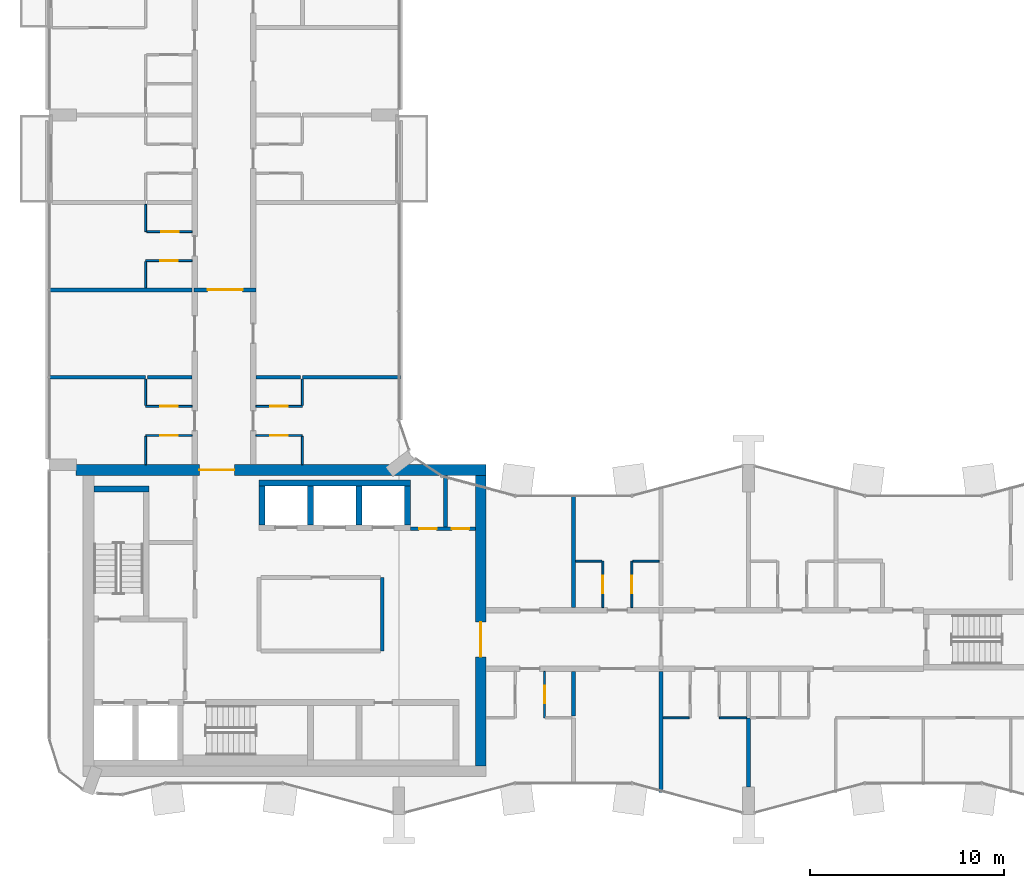
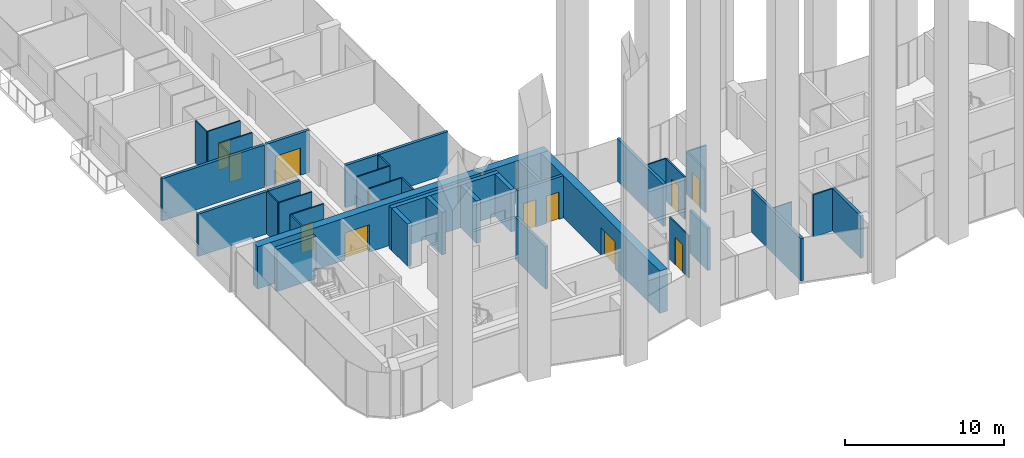
# One storey, part 10 of 17: 40 walls, 14 doors, 14 openings.
"""IFC4 building model written with IfcOpenShell, lengths in metres."""

import ifcopenshell
import ifcopenshell.guid

model = None  # the IFC model being written
_history = None  # IfcOwnerHistory: only IFC2X3 demands one
_inside = {}  # id of a spatial element -> (the spatial element, [elements in it])
_under = {}  # id of a project, library or spatial element -> (it, [spatial elements below it])
_declared = {}  # id of a project -> (the project, [libraries it declares])
_typed = {}  # id of a type object -> (the type object, [elements of that type])
_made_of = {}  # id of a material, layer set ... -> (it, [elements and type objects made of it])


def new_model(schema):
    """Start an empty IFC model of exactly this schema.

    Asked for "IFC4X3", IfcOpenShell would pick the latest addendum, in which some entities
    have other attributes; the version numbers below select the first issue.
    IFC2X3 requires an IfcOwnerHistory on every rooted entity: one is made here for all.
    """
    global model, _history
    if schema == "IFC4X3":
        model = ifcopenshell.file(schema_version=(4, 3, 0, 0))
    else:
        model = ifcopenshell.file(schema=schema)
    _inside.clear()
    _under.clear()
    _declared.clear()
    _typed.clear()
    _made_of.clear()
    _history = None
    if model.schema == "IFC2X3":
        org = make("IfcOrganization", Name="unknown")
        user = make(
            "IfcPersonAndOrganization",
            ThePerson=make("IfcPerson", FamilyName="unknown"),
            TheOrganization=org,
        )
        app = make(
            "IfcApplication",
            ApplicationDeveloper=org,
            Version="unknown",
            ApplicationFullName="unknown",
            ApplicationIdentifier="unknown",
        )
        _history = make(
            "IfcOwnerHistory",
            OwningUser=user,
            OwningApplication=app,
            ChangeAction="ADDED",
            CreationDate=0,
        )
    return model


def make(cls, **values):
    """One entity of the class cls with the attributes given. An attribute that is None is left unset."""
    return model.create_entity(
        cls, **{name: value for name, value in values.items() if value is not None}
    )


def rooted(cls, **values):
    """An entity with a GlobalId (a new one), such as an element, a storey or a relation."""
    return make(cls, GlobalId=ifcopenshell.guid.new(), OwnerHistory=_history, **values)


def si_unit(unit_type, name, prefix=None):
    """IfcSIUnit, for example si_unit("LENGTHUNIT", "METRE", prefix="MILLI")."""
    return make("IfcSIUnit", UnitType=unit_type, Prefix=prefix, Name=name)


def assignment(units):
    """IfcUnitAssignment: the units of a project."""
    return None if units is None else make("IfcUnitAssignment", Units=units)


def point(xyz):
    """IfcCartesianPoint."""
    return None if xyz is None else make("IfcCartesianPoint", Coordinates=xyz)


def direction(xyz):
    """IfcDirection."""
    return None if xyz is None else make("IfcDirection", DirectionRatios=xyz)


def frame(location, z_axis=None, x_axis=None):
    """IfcAxis2Placement3D, a coordinate frame: its origin and axes. An axis left out is left unset."""
    return make(
        "IfcAxis2Placement3D",
        Location=point(location),
        Axis=direction(z_axis),
        RefDirection=direction(x_axis),
    )


def frame_2d(location, x_axis=None):
    """IfcAxis2Placement2D, a coordinate frame in the plane: its origin and x axis."""
    return make(
        "IfcAxis2Placement2D", Location=point(location), RefDirection=direction(x_axis)
    )


def origin():
    """The frame at (0, 0, 0) with its axes left unset."""
    return frame((0.0, 0.0, 0.0))


def place(relative_to, where):
    """IfcLocalPlacement: puts the frame where relative to a parent placement (None: the world)."""
    return make(
        "IfcLocalPlacement", PlacementRelTo=relative_to, RelativePlacement=where
    )


def context(
    kind, dimensions, precision=None, world=None, true_north=None, identifier=None
):
    """IfcGeometricRepresentationContext, for example the 3D "Model" context."""
    return make(
        "IfcGeometricRepresentationContext",
        ContextIdentifier=identifier,
        ContextType=kind,
        CoordinateSpaceDimension=dimensions,
        Precision=precision,
        WorldCoordinateSystem=world,
        TrueNorth=true_north,
    )


def subcontext(parent, identifier, kind, view, scale=None):
    """IfcGeometricRepresentationSubContext, for example "Body" below "Model"."""
    return make(
        "IfcGeometricRepresentationSubContext",
        ContextIdentifier=identifier,
        ContextType=kind,
        ParentContext=parent,
        TargetScale=scale,
        TargetView=view,
    )


def project(units=None, contexts=None):
    """IfcProject with its units and contexts."""
    return rooted(
        "IfcProject",
        Name="project",
        RepresentationContexts=contexts,
        UnitsInContext=assignment(units),
    )


def spatial(cls, under=None, at=None, **own):
    """A site, building, storey or space (cls), placed at a placement, below another one or the project."""
    s = rooted(cls, ObjectPlacement=at, **own)
    if under is not None:
        _under.setdefault(under.id(), (under, []))[1].append(s)
    return s


def profile(cls, at=None, kind="AREA", **sizes):
    """A parametric profile (cls). Its sizes go by their IFC names, for example OverallWidth=200.0."""
    return make(cls, ProfileType=kind, Position=at, **sizes)


def rectangle(**sizes):
    """IfcRectangleProfileDef."""
    return profile("IfcRectangleProfileDef", **sizes)


def extrude(swept, where, along, depth):
    """IfcExtrudedAreaSolid: the profile swept, set in the frame where, extruded along a direction by depth."""
    return make(
        "IfcExtrudedAreaSolid",
        SweptArea=swept,
        Position=where,
        ExtrudedDirection=direction(along),
        Depth=depth,
    )


def shape(context_of_items, identifier, shape_type, items):
    """IfcShapeRepresentation: the items that make up one representation, for example the "Body"."""
    return make(
        "IfcShapeRepresentation",
        ContextOfItems=context_of_items,
        RepresentationIdentifier=identifier,
        RepresentationType=shape_type,
        Items=items,
    )


def material(Name=None, Category=None):
    """IfcMaterial."""
    return make("IfcMaterial", Name=Name, Category=Category)


def layer(
    of_material, thickness, ventilated=None, Name=None, Category=None, Priority=None
):
    """IfcMaterialLayer: one layer of a wall or slab, of a material (None: an air gap)."""
    return make(
        "IfcMaterialLayer",
        Material=of_material,
        LayerThickness=thickness,
        IsVentilated=ventilated,
        Name=Name,
        Category=Category,
        Priority=Priority,
    )


def layer_set(layers, Name=None):
    """IfcMaterialLayerSet."""
    return make("IfcMaterialLayerSet", MaterialLayers=layers, LayerSetName=Name)


def made_of(thing, what):
    """Note that an element or type object is made of a material, layer set ...; save() writes the relation."""
    if what is not None:
        _made_of.setdefault(what.id(), (what, []))[1].append(thing)
    return thing


def type_object(cls, material=None, **own):
    """A type object (cls), such as IfcWallType, which elements share."""
    return made_of(rooted(cls, **own), material)


def element(
    cls,
    number,
    at=None,
    inside=None,
    cuts=None,
    type_object=None,
    material=None,
    context=None,
    identifier="Body",
    shape_type=None,
    held_by="IfcProductDefinitionShape",
    body=None,
    shapes=None,
    **own,
):
    """One element of the class cls, such as IfcWall. Its Tag is "e" and its number.

    at: its placement. inside: the storey or other place that contains it. cuts: it is an
    opening in that element (IfcRelVoidsElement). A single representation is given by context,
    identifier, shape_type and body (its items); several are given by shapes. held_by: the class
    of the entity that holds the representations. save() writes the other relations.
    """
    e = rooted(cls, Tag="e%d" % number, ObjectPlacement=at, **own)
    if body is not None:
        shapes = [shape(context, identifier, shape_type, body)]
    if shapes is not None:
        e.Representation = make(held_by, Representations=shapes)
    if inside is not None:
        _inside.setdefault(inside.id(), (inside, []))[1].append(e)
    if cuts is not None:
        rooted(
            "IfcRelVoidsElement", RelatingBuildingElement=cuts, RelatedOpeningElement=e
        )
    if type_object is not None:
        _typed.setdefault(type_object.id(), (type_object, []))[1].append(e)
    return made_of(e, material)


def fill(opening, filler):
    """IfcRelFillsElement: the door or window that sits in an opening."""
    return rooted(
        "IfcRelFillsElement",
        RelatingOpeningElement=opening,
        RelatedBuildingElement=filler,
    )


def aggregate(whole, parts):
    """IfcRelAggregates: a whole, such as a stair, and the parts it consists of."""
    return rooted("IfcRelAggregates", RelatingObject=whole, RelatedObjects=parts)


def save(model, path):
    """Write the relations noted so far, then the file.

    IfcRelAggregates (storeys below a building ...), IfcRelContainedInSpatialStructure (elements
    in a storey), IfcRelDefinesByType, IfcRelAssociatesMaterial and IfcRelDeclares: one each for
    every whole, place, type object, material and project.
    """
    for whole, parts in _under.values():
        aggregate(whole, parts)
    for where, things in _inside.values():
        rooted(
            "IfcRelContainedInSpatialStructure",
            RelatedElements=things,
            RelatingStructure=where,
        )
    for kind, things in _typed.values():
        rooted("IfcRelDefinesByType", RelatedObjects=things, RelatingType=kind)
    for what, things in _made_of.values():
        rooted("IfcRelAssociatesMaterial", RelatedObjects=things, RelatingMaterial=what)
    for by, libraries in _declared.values():
        rooted("IfcRelDeclares", RelatingContext=by, RelatedDefinitions=libraries)
    model.write(path)


model = new_model("IFC4")

# Units and contexts
model_context = context("Model", 3, precision=1e-05, world=origin(), true_north=direction((0.0, 1.0)))
body_context = subcontext(model_context, "Body", "Model", "MODEL_VIEW")
ifc_project = project(units=[si_unit("LENGTHUNIT", "METRE"), si_unit("AREAUNIT", "SQUARE_METRE"), si_unit("VOLUMEUNIT", "CUBIC_METRE"), si_unit("PLANEANGLEUNIT", "RADIAN"), si_unit("MASSUNIT", "GRAM", prefix="KILO")], contexts=[model_context])

# Site, building, storey
site_placement = place(None, origin())
site = spatial("IfcSite", under=ifc_project, at=site_placement, CompositionType="ELEMENT")
building_placement = place(site_placement, origin())
building = spatial("IfcBuilding", under=site, at=building_placement, Name="Plateau Cross Towers", CompositionType="ELEMENT")
storey_placement = place(building_placement, frame((0.0, 0.0, 190.89990234375)))
storey = spatial("IfcBuildingStorey", under=building, at=storey_placement, Name="L49", CompositionType="ELEMENT", Elevation=190.89990234375)

# Wall
ifc_material_1 = material(Name="Concrete block, plastered both sides", Category="concrete")
ifc_layer_1 = layer(ifc_material_1, 0.199951171875)
ifc_layer_set_1 = layer_set([ifc_layer_1], Name="Concrete block, plastered both sides")
wall_type_1 = type_object("IfcWallType", Name="Core partition 200", PredefinedType="PARTITIONING", material=ifc_layer_set_1)
wall_1_placement = place(storey_placement, frame((17.14990234375, 8.39990234375, 0.0), z_axis=(0.0, 0.0, 1.0), x_axis=(0.0, 1.0, 0.0)))
element("IfcWall", 1, at=wall_1_placement, inside=storey, type_object=wall_type_1, Name="Core partition", PredefinedType="PARTITIONING", context=body_context, shape_type="SweptSolid", body=[
    extrude(rectangle(XDim=3.800048828125, YDim=0.199951171875, at=frame_2d((1.89990234375, 0.0))), origin(), (0.0, 0.0, 1.0), 3.25),
])

# Wall, openings, doors
wall_2_placement = place(storey_placement, frame((18.60009765625, 14.699951171875, 0.0), z_axis=(0.0, 0.0, 1.0), x_axis=(1.0, 0.0, 0.0)))
wall_2 = element("IfcWall", 2, at=wall_2_placement, inside=storey, type_object=wall_type_1, Name="Core partition", PredefinedType="PARTITIONING", context=body_context, shape_type="SweptSolid", body=[
    extrude(rectangle(XDim=3.349853515625, YDim=0.199951171875, at=frame_2d((1.6748046875, 0.0))), origin(), (0.0, 0.0, 1.0), 3.25),
])
opening_1_placement = place(wall_2_placement, frame((0.449951171875, 0.0, 0.0)))
opening_1 = element("IfcOpeningElement", 3, at=opening_1_placement, cuts=wall_2, Name="Opening RD2", PredefinedType="OPENING", context=body_context, shape_type="SweptSolid", body=[
    extrude(rectangle(XDim=0.89990234375, YDim=2.10009765625, at=frame_2d((0.449951171875, 1.050048828125))), frame((0.0, 0.10986328125, 0.0), z_axis=(0.0, -1.0, 0.0), x_axis=(1.0, 0.0, 0.0)), (0.0, 0.0, 1.0), 0.219970703125),
])
opening_2_placement = place(wall_2_placement, frame((2.125, 0.0, 0.0)))
opening_2 = element("IfcOpeningElement", 4, at=opening_2_placement, cuts=wall_2, Name="Opening RD2", PredefinedType="OPENING", context=body_context, shape_type="SweptSolid", body=[
    extrude(rectangle(XDim=0.89990234375, YDim=2.10009765625, at=frame_2d((0.449951171875, 1.050048828125))), frame((0.0, 0.10986328125, 0.0), z_axis=(0.0, -1.0, 0.0), x_axis=(1.0, 0.0, 0.0)), (0.0, 0.0, 1.0), 0.219970703125),
])
ifc_material_2 = material(Name="Steel, fire-resisting leaf", Category="steel")
door_type_1 = type_object("IfcDoorType", Name="Core riser door 900", OperationType="NOTDEFINED", PredefinedType="DOOR", material=ifc_material_2)
door_1_placement = place(opening_1_placement, origin())
door_1 = element("IfcDoor", 5, at=door_1_placement, inside=storey, type_object=door_type_1, Name="Core riser door RD2", OperationType="SINGLE_SWING_LEFT", OverallHeight=2.10009765625, OverallWidth=0.89990234375, PredefinedType="DOOR", context=body_context, shape_type="SweptSolid", body=[
    extrude(rectangle(XDim=0.89990234375, YDim=2.10009765625, at=frame_2d((0.449951171875, 1.050048828125))), frame((0.0, 0.02490234375, 0.0), z_axis=(0.0, -1.0, 0.0), x_axis=(1.0, 0.0, 0.0)), (0.0, 0.0, 1.0), 0.050048828125),
])
fill(opening_1, door_1)
door_2_placement = place(opening_2_placement, origin())
door_2 = element("IfcDoor", 6, at=door_2_placement, inside=storey, type_object=door_type_1, Name="Core riser door RD2", OperationType="SINGLE_SWING_LEFT", OverallHeight=2.10009765625, OverallWidth=0.89990234375, PredefinedType="DOOR", context=body_context, shape_type="SweptSolid", body=[
    extrude(rectangle(XDim=0.89990234375, YDim=2.10009765625, at=frame_2d((0.449951171875, 1.050048828125))), frame((0.0, 0.02490234375, 0.0), z_axis=(0.0, -1.0, 0.0), x_axis=(1.0, 0.0, 0.0)), (0.0, 0.0, 1.0), 0.050048828125),
])
fill(opening_2, door_2)

# Walls
wall_3_placement = place(storey_placement, frame((20.39990234375, 14.800048828125, 0.0), z_axis=(0.0, 0.0, 1.0), x_axis=(0.0, 1.0, 0.0)))
element("IfcWall", 7, at=wall_3_placement, inside=storey, type_object=wall_type_1, Name="Core partition", PredefinedType="PARTITIONING", context=body_context, shape_type="SweptSolid", body=[
    extrude(rectangle(XDim=2.64990234375, YDim=0.199951171875, at=frame_2d((1.324951171875, 0.0))), origin(), (0.0, 0.0, 1.0), 3.25),
])
ifc_material_3 = material(Name="Concrete C60/75", Category="concrete")
ifc_layer_2 = layer(ifc_material_3, 0.300048828125)
ifc_layer_set_2 = layer_set([ifc_layer_2], Name="Concrete C60/75")
wall_type_2 = type_object("IfcWallType", Name="Core shaft wall 300", PredefinedType="SHEAR", material=ifc_layer_set_2)
wall_4_placement = place(storey_placement, frame((2.300048828125, 16.75, 0.0), z_axis=(0.0, 0.0, 1.0), x_axis=(1.0, 0.0, 0.0)))
element("IfcWall", 8, at=wall_4_placement, inside=storey, type_object=wall_type_2, Name="A-st1-N@L49", PredefinedType="SHEAR", context=body_context, shape_type="SweptSolid", body=[
    extrude(rectangle(XDim=2.849853515625, YDim=0.300048828125, at=frame_2d((1.4248046875, 0.0))), origin(), (0.0, 0.0, 1.0), 3.25),
])
wall_5_placement = place(storey_placement, frame((10.800048828125, 17.050048828125, 0.0), z_axis=(0.0, 0.0, 1.0), x_axis=(1.0, 0.0, 0.0)))
element("IfcWall", 9, at=wall_5_placement, inside=storey, type_object=wall_type_2, Name="A-nb-back@L49", PredefinedType="SHEAR", context=body_context, shape_type="SweptSolid", body=[
    extrude(rectangle(XDim=7.800048828125, YDim=0.300048828125, at=frame_2d((3.89990234375, 0.0))), origin(), (0.0, 0.0, 1.0), 3.25),
])
for number, where, z_axis, x_axis, name in (
    (10, (10.949951171875, 14.89990234375, 0.0), (0.0, 0.0, 1.0), (0.0, 1.0, 0.0), "A-nb-v1@L49"),
    (11, (13.449951171875, 14.89990234375, 0.0), (0.0, 0.0, 1.0), (0.0, 1.0, 0.0), "A-nb-v2@L49"),
    (12, (15.949951171875, 14.89990234375, 0.0), (0.0, 0.0, 1.0), (0.0, 1.0, 0.0), "A-nb-v3@L49"),
    (13, (18.449951171875, 14.89990234375, 0.0), (0.0, 0.0, 1.0), (0.0, 1.0, 0.0), "A-nb-v4@L49"),
):
    element("IfcWall", number, at=place(storey_placement, frame(where, z_axis=z_axis, x_axis=x_axis)), inside=storey, type_object=wall_type_2, Name=name, PredefinedType="SHEAR", context=body_context, shape_type="SweptSolid", body=[
        extrude(rectangle(XDim=2.0, YDim=0.300048828125, at=frame_2d((1.0, 0.0))), origin(), (0.0, 0.0, 1.0), 3.25),
    ])

# Wall, opening, door
ifc_layer_3 = layer(ifc_material_3, 0.550048828125)
ifc_layer_set_3 = layer_set([ifc_layer_3], Name="Concrete C60/75")
wall_type_3 = type_object("IfcWallType", Name="Core shell wall 550", PredefinedType="SHEAR", material=ifc_layer_set_3)
wall_6_placement = place(storey_placement, frame((1.3798828125, 17.72509765625, 0.0), z_axis=(0.0, 0.0, 1.0), x_axis=(1.0, 0.0, 0.0)))
wall_6 = element("IfcWall", 14, at=wall_6_placement, inside=storey, type_object=wall_type_3, Name="A-core-N@L49", PredefinedType="SHEAR", context=body_context, shape_type="SweptSolid", body=[
    extrude(rectangle(XDim=21.1201171875, YDim=0.550048828125, at=frame_2d((10.56005859375, 0.0))), origin(), (0.0, 0.0, 1.0), 3.25),
])
opening_3_placement = place(wall_6_placement, frame((6.35009765625, 0.0, 0.0)))
opening_3 = element("IfcOpeningElement", 15, at=opening_3_placement, cuts=wall_6, Name="Opening CD", PredefinedType="OPENING", context=body_context, shape_type="SweptSolid", body=[
    extrude(rectangle(XDim=1.800048828125, YDim=2.10009765625, at=frame_2d((0.89990234375, 1.050048828125))), frame((0.0, 0.284912109375, 0.0), z_axis=(0.0, -1.0, 0.0), x_axis=(1.0, 0.0, 0.0)), (0.0, 0.0, 1.0), 0.570068359375),
])
ifc_material_4 = material(Name="Steel, fire-resisting leaves", Category="steel")
door_type_2 = type_object("IfcDoorType", Name="Corridor door pair 1800", OperationType="NOTDEFINED", PredefinedType="DOOR", material=ifc_material_4)
door_3_placement = place(opening_3_placement, origin())
door_3 = element("IfcDoor", 16, at=door_3_placement, inside=storey, type_object=door_type_2, Name="Corridor door pair CD", OperationType="DOUBLE_DOOR_SINGLE_SWING", OverallHeight=2.10009765625, OverallWidth=1.800048828125, PredefinedType="DOOR", context=body_context, shape_type="SweptSolid", body=[
    extrude(rectangle(XDim=1.800048828125, YDim=2.10009765625, at=frame_2d((0.89990234375, 1.050048828125))), frame((0.0, 0.02490234375, 0.0), z_axis=(0.0, -1.0, 0.0), x_axis=(1.0, 0.0, 0.0)), (0.0, 0.0, 1.0), 0.050048828125),
])
fill(opening_3, door_3)

wall_7_placement = place(storey_placement, frame((22.22509765625, 2.5, 0.0), z_axis=(0.0, 0.0, 1.0), x_axis=(0.0, 1.0, 0.0)))
wall_7 = element("IfcWall", 17, at=wall_7_placement, inside=storey, type_object=wall_type_3, Name="A-core-E@L49", PredefinedType="SHEAR", context=body_context, shape_type="SweptSolid", body=[
    extrude(rectangle(XDim=14.949951171875, YDim=0.550048828125, at=frame_2d((7.47509765625, 0.0))), origin(), (0.0, 0.0, 1.0), 3.25),
])
opening_4_placement = place(wall_7_placement, frame((5.60009765625, 0.0, 0.0)))
opening_4 = element("IfcOpeningElement", 18, at=opening_4_placement, cuts=wall_7, Name="Opening CD", PredefinedType="OPENING", context=body_context, shape_type="SweptSolid", body=[
    extrude(rectangle(XDim=1.800048828125, YDim=2.10009765625, at=frame_2d((0.89990234375, 1.050048828125))), frame((0.0, 0.284912109375, 0.0), z_axis=(0.0, -1.0, 0.0), x_axis=(1.0, 0.0, 0.0)), (0.0, 0.0, 1.0), 0.570068359375),
])
door_4_placement = place(opening_4_placement, origin())
door_4 = element("IfcDoor", 19, at=door_4_placement, inside=storey, type_object=door_type_2, Name="Corridor door pair CD", OperationType="DOUBLE_DOOR_SINGLE_SWING", OverallHeight=2.10009765625, OverallWidth=1.800048828125, PredefinedType="DOOR", context=body_context, shape_type="SweptSolid", body=[
    extrude(rectangle(XDim=1.800048828125, YDim=2.10009765625, at=frame_2d((0.89990234375, 1.050048828125))), frame((0.0, 0.02490234375, 0.0), z_axis=(0.0, -1.0, 0.0), x_axis=(1.0, 0.0, 0.0)), (0.0, 0.0, 1.0), 0.050048828125),
])
fill(opening_4, door_4)

# Walls
ifc_material_5 = material(Name="Gypsum board on steel studs", Category="steel")
ifc_layer_4 = layer(ifc_material_5, 0.10009765625)
ifc_layer_set_4 = layer_set([ifc_layer_4], Name="Gypsum board on steel studs")
wall_type_4 = type_object("IfcWallType", Name="Flat partition 100", PredefinedType="PARTITIONING", material=ifc_layer_set_4)
wall_8_placement = place(storey_placement, frame((31.60009765625, 4.96240234375, 0.0), z_axis=(0.0, 0.0, 1.0), x_axis=(1.0, 0.0, 0.0)))
element("IfcWall", 20, at=wall_8_placement, inside=storey, type_object=wall_type_4, Name="Partition wall", PredefinedType="PARTITIONING", context=body_context, shape_type="SweptSolid", body=[
    extrude(rectangle(XDim=1.349853515625, YDim=0.10009765625, at=frame_2d((0.6748046875, 0.0))), origin(), (0.0, 0.0, 1.0), 3.25),
])
wall_9_placement = place(storey_placement, frame((34.5, 4.96240234375, 0.0), z_axis=(0.0, 0.0, 1.0), x_axis=(1.0, 0.0, 0.0)))
element("IfcWall", 21, at=wall_9_placement, inside=storey, type_object=wall_type_4, Name="Partition wall", PredefinedType="PARTITIONING", context=body_context, shape_type="SweptSolid", body=[
    extrude(rectangle(XDim=1.39990234375, YDim=0.10009765625, at=frame_2d((0.699951171875, 0.0))), origin(), (0.0, 0.0, 1.0), 3.25),
])
for number, where, z_axis, x_axis, name in (
    (22, (28.449951171875, 13.03759765625, 0.0), (0.0, 0.0, 1.0), (-1.0, 0.0, 0.0), "Partition wall"),
    (23, (31.39990234375, 13.03759765625, 0.0), (0.0, 0.0, 1.0), (-1.0, 0.0, 0.0), "Partition wall"),
):
    element("IfcWall", number, at=place(storey_placement, frame(where, z_axis=z_axis, x_axis=x_axis)), inside=storey, type_object=wall_type_4, Name=name, PredefinedType="PARTITIONING", context=body_context, shape_type="SweptSolid", body=[
        extrude(rectangle(XDim=1.349853515625, YDim=0.10009765625, at=frame_2d((0.6748046875, 0.0))), origin(), (0.0, 0.0, 1.0), 3.25),
    ])

# Wall, opening, door
wall_10_placement = place(storey_placement, frame((7.362548828125, 19.5, 0.0), z_axis=(0.0, 0.0, 1.0), x_axis=(-1.0, 0.0, 0.0)))
wall_10 = element("IfcWall", 24, at=wall_10_placement, inside=storey, type_object=wall_type_4, Name="Partition wall", PredefinedType="PARTITIONING", context=body_context, shape_type="SweptSolid", body=[
    extrude(rectangle(XDim=2.400146484375, YDim=0.10009765625, at=frame_2d((1.2001953125, 0.0))), origin(), (0.0, 0.0, 1.0), 3.25),
])
opening_5_placement = place(wall_10_placement, frame((0.75, 0.0, 0.0)))
opening_5 = element("IfcOpeningElement", 25, at=opening_5_placement, cuts=wall_10, Name="Opening 49-39", PredefinedType="OPENING", context=body_context, shape_type="SweptSolid", body=[
    extrude(rectangle(XDim=0.89990234375, YDim=2.10009765625, at=frame_2d((0.449951171875, 1.050048828125))), frame((0.0, 0.06005859375, 0.0), z_axis=(0.0, -1.0, 0.0), x_axis=(1.0, 0.0, 0.0)), (0.0, 0.0, 1.0), 0.1201171875),
])
ifc_material_6 = material(Name="Timber leaf", Category="wood")
door_type_3 = type_object("IfcDoorType", Name="Flat room door 900", OperationType="NOTDEFINED", PredefinedType="DOOR", material=ifc_material_6)
door_5_placement = place(opening_5_placement, origin())
door_5 = element("IfcDoor", 26, at=door_5_placement, inside=storey, type_object=door_type_3, Name="Door 49-39", OperationType="SINGLE_SWING_RIGHT", OverallHeight=2.10009765625, OverallWidth=0.89990234375, PredefinedType="DOOR", context=body_context, shape_type="SweptSolid", body=[
    extrude(rectangle(XDim=0.89990234375, YDim=2.10009765625, at=frame_2d((0.449951171875, 1.050048828125))), frame((0.0, 0.02490234375, 0.0), z_axis=(0.0, -1.0, 0.0), x_axis=(1.0, 0.0, 0.0)), (0.0, 0.0, 1.0), 0.050048828125),
])
fill(opening_5, door_5)

wall_11_placement = place(storey_placement, frame((13.03759765625, 19.5, 0.0), z_axis=(0.0, 0.0, 1.0), x_axis=(-1.0, 0.0, 0.0)))
wall_11 = element("IfcWall", 27, at=wall_11_placement, inside=storey, type_object=wall_type_4, Name="Partition wall", PredefinedType="PARTITIONING", context=body_context, shape_type="SweptSolid", body=[
    extrude(rectangle(XDim=2.400146484375, YDim=0.10009765625, at=frame_2d((1.2001953125, 0.0))), origin(), (0.0, 0.0, 1.0), 3.25),
])
opening_6_placement = place(wall_11_placement, frame((0.75, 0.0, 0.0)))
opening_6 = element("IfcOpeningElement", 28, at=opening_6_placement, cuts=wall_11, Name="Opening 49-50", PredefinedType="OPENING", context=body_context, shape_type="SweptSolid", body=[
    extrude(rectangle(XDim=0.89990234375, YDim=2.10009765625, at=frame_2d((0.449951171875, 1.050048828125))), frame((0.0, 0.06005859375, 0.0), z_axis=(0.0, -1.0, 0.0), x_axis=(1.0, 0.0, 0.0)), (0.0, 0.0, 1.0), 0.1201171875),
])
door_6_placement = place(opening_6_placement, origin())
door_6 = element("IfcDoor", 29, at=door_6_placement, inside=storey, type_object=door_type_3, Name="Door 49-50", OperationType="SINGLE_SWING_LEFT", OverallHeight=2.10009765625, OverallWidth=0.89990234375, PredefinedType="DOOR", context=body_context, shape_type="SweptSolid", body=[
    extrude(rectangle(XDim=0.89990234375, YDim=2.10009765625, at=frame_2d((0.449951171875, 1.050048828125))), frame((0.0, 0.02490234375, 0.0), z_axis=(0.0, -1.0, 0.0), x_axis=(1.0, 0.0, 0.0)), (0.0, 0.0, 1.0), 0.050048828125),
])
fill(opening_6, door_6)

wall_12_placement = place(storey_placement, frame((4.96240234375, 21.0, 0.0), z_axis=(0.0, 0.0, 1.0), x_axis=(1.0, 0.0, 0.0)))
wall_12 = element("IfcWall", 30, at=wall_12_placement, inside=storey, type_object=wall_type_4, Name="Partition wall", PredefinedType="PARTITIONING", context=body_context, shape_type="SweptSolid", body=[
    extrude(rectangle(XDim=2.400146484375, YDim=0.10009765625, at=frame_2d((1.2001953125, 0.0))), origin(), (0.0, 0.0, 1.0), 3.25),
])
opening_7_placement = place(wall_12_placement, frame((0.75, 0.0, 0.0)))
opening_7 = element("IfcOpeningElement", 31, at=opening_7_placement, cuts=wall_12, Name="Opening 49-40", PredefinedType="OPENING", context=body_context, shape_type="SweptSolid", body=[
    extrude(rectangle(XDim=0.89990234375, YDim=2.10009765625, at=frame_2d((0.449951171875, 1.050048828125))), frame((0.0, 0.06005859375, 0.0), z_axis=(0.0, -1.0, 0.0), x_axis=(1.0, 0.0, 0.0)), (0.0, 0.0, 1.0), 0.1201171875),
])
door_7_placement = place(opening_7_placement, origin())
door_7 = element("IfcDoor", 32, at=door_7_placement, inside=storey, type_object=door_type_3, Name="Door 49-40", OperationType="SINGLE_SWING_RIGHT", OverallHeight=2.10009765625, OverallWidth=0.89990234375, PredefinedType="DOOR", context=body_context, shape_type="SweptSolid", body=[
    extrude(rectangle(XDim=0.89990234375, YDim=2.10009765625, at=frame_2d((0.449951171875, 1.050048828125))), frame((0.0, 0.02490234375, 0.0), z_axis=(0.0, -1.0, 0.0), x_axis=(1.0, 0.0, 0.0)), (0.0, 0.0, 1.0), 0.050048828125),
])
fill(opening_7, door_7)

wall_13_placement = place(storey_placement, frame((10.637451171875, 21.0, 0.0), z_axis=(0.0, 0.0, 1.0), x_axis=(1.0, 0.0, 0.0)))
wall_13 = element("IfcWall", 33, at=wall_13_placement, inside=storey, type_object=wall_type_4, Name="Partition wall", PredefinedType="PARTITIONING", context=body_context, shape_type="SweptSolid", body=[
    extrude(rectangle(XDim=2.400146484375, YDim=0.10009765625, at=frame_2d((1.2001953125, 0.0))), origin(), (0.0, 0.0, 1.0), 3.25),
])
opening_8_placement = place(wall_13_placement, frame((0.75, 0.0, 0.0)))
opening_8 = element("IfcOpeningElement", 34, at=opening_8_placement, cuts=wall_13, Name="Opening 49-51", PredefinedType="OPENING", context=body_context, shape_type="SweptSolid", body=[
    extrude(rectangle(XDim=0.89990234375, YDim=2.10009765625, at=frame_2d((0.449951171875, 1.050048828125))), frame((0.0, 0.06005859375, 0.0), z_axis=(0.0, -1.0, 0.0), x_axis=(1.0, 0.0, 0.0)), (0.0, 0.0, 1.0), 0.1201171875),
])
door_8_placement = place(opening_8_placement, origin())
door_8 = element("IfcDoor", 35, at=door_8_placement, inside=storey, type_object=door_type_3, Name="Door 49-51", OperationType="SINGLE_SWING_LEFT", OverallHeight=2.10009765625, OverallWidth=0.89990234375, PredefinedType="DOOR", context=body_context, shape_type="SweptSolid", body=[
    extrude(rectangle(XDim=0.89990234375, YDim=2.10009765625, at=frame_2d((0.449951171875, 1.050048828125))), frame((0.0, 0.02490234375, 0.0), z_axis=(0.0, -1.0, 0.0), x_axis=(1.0, 0.0, 0.0)), (0.0, 0.0, 1.0), 0.050048828125),
])
fill(opening_8, door_8)

wall_14_placement = place(storey_placement, frame((7.362548828125, 28.5, 0.0), z_axis=(0.0, 0.0, 1.0), x_axis=(-1.0, 0.0, 0.0)))
wall_14 = element("IfcWall", 36, at=wall_14_placement, inside=storey, type_object=wall_type_4, Name="Partition wall", PredefinedType="PARTITIONING", context=body_context, shape_type="SweptSolid", body=[
    extrude(rectangle(XDim=2.400146484375, YDim=0.10009765625, at=frame_2d((1.2001953125, 0.0))), origin(), (0.0, 0.0, 1.0), 3.25),
])
opening_9_placement = place(wall_14_placement, frame((0.75, 0.0, 0.0)))
opening_9 = element("IfcOpeningElement", 37, at=opening_9_placement, cuts=wall_14, Name="Opening 49-41", PredefinedType="OPENING", context=body_context, shape_type="SweptSolid", body=[
    extrude(rectangle(XDim=0.89990234375, YDim=2.10009765625, at=frame_2d((0.449951171875, 1.050048828125))), frame((0.0, 0.06005859375, 0.0), z_axis=(0.0, -1.0, 0.0), x_axis=(1.0, 0.0, 0.0)), (0.0, 0.0, 1.0), 0.1201171875),
])
door_9_placement = place(opening_9_placement, origin())
door_9 = element("IfcDoor", 38, at=door_9_placement, inside=storey, type_object=door_type_3, Name="Door 49-41", OperationType="SINGLE_SWING_RIGHT", OverallHeight=2.10009765625, OverallWidth=0.89990234375, PredefinedType="DOOR", context=body_context, shape_type="SweptSolid", body=[
    extrude(rectangle(XDim=0.89990234375, YDim=2.10009765625, at=frame_2d((0.449951171875, 1.050048828125))), frame((0.0, 0.02490234375, 0.0), z_axis=(0.0, -1.0, 0.0), x_axis=(1.0, 0.0, 0.0)), (0.0, 0.0, 1.0), 0.050048828125),
])
fill(opening_9, door_9)

wall_15_placement = place(storey_placement, frame((5.012451171875, 30.0, 0.0), z_axis=(0.0, 0.0, 1.0), x_axis=(1.0, 0.0, 0.0)))
wall_15 = element("IfcWall", 39, at=wall_15_placement, inside=storey, type_object=wall_type_4, Name="Partition wall", PredefinedType="PARTITIONING", context=body_context, shape_type="SweptSolid", body=[
    extrude(rectangle(XDim=2.35009765625, YDim=0.10009765625, at=frame_2d((1.175048828125, 0.0))), origin(), (0.0, 0.0, 1.0), 3.25),
])
opening_10_placement = place(wall_15_placement, frame((0.75, 0.0, 0.0)))
opening_10 = element("IfcOpeningElement", 40, at=opening_10_placement, cuts=wall_15, Name="Opening 49-42", PredefinedType="OPENING", context=body_context, shape_type="SweptSolid", body=[
    extrude(rectangle(XDim=0.89990234375, YDim=2.10009765625, at=frame_2d((0.449951171875, 1.050048828125))), frame((0.0, 0.06005859375, 0.0), z_axis=(0.0, -1.0, 0.0), x_axis=(1.0, 0.0, 0.0)), (0.0, 0.0, 1.0), 0.1201171875),
])
door_10_placement = place(opening_10_placement, origin())
door_10 = element("IfcDoor", 41, at=door_10_placement, inside=storey, type_object=door_type_3, Name="Door 49-42", OperationType="SINGLE_SWING_RIGHT", OverallHeight=2.10009765625, OverallWidth=0.89990234375, PredefinedType="DOOR", context=body_context, shape_type="SweptSolid", body=[
    extrude(rectangle(XDim=0.89990234375, YDim=2.10009765625, at=frame_2d((0.449951171875, 1.050048828125))), frame((0.0, 0.02490234375, 0.0), z_axis=(0.0, -1.0, 0.0), x_axis=(1.0, 0.0, 0.0)), (0.0, 0.0, 1.0), 0.050048828125),
])
fill(opening_10, door_10)

# Walls
wall_16_placement = place(storey_placement, frame((4.96240234375, 19.449951171875, 0.0), z_axis=(0.0, 0.0, 1.0), x_axis=(0.0, -1.0, 0.0)))
element("IfcWall", 42, at=wall_16_placement, inside=storey, type_object=wall_type_4, Name="Partition wall", PredefinedType="PARTITIONING", context=body_context, shape_type="SweptSolid", body=[
    extrude(rectangle(XDim=1.449951171875, YDim=0.10009765625, at=frame_2d((0.72509765625, 0.0))), origin(), (0.0, 0.0, 1.0), 3.25),
])
for number, where, z_axis, x_axis, name in (
    (43, (4.96240234375, 22.39990234375, 0.0), (0.0, 0.0, 1.0), (0.0, -1.0, 0.0), "Partition wall"),
    (44, (4.96240234375, 28.449951171875, 0.0), (0.0, 0.0, 1.0), (0.0, -1.0, 0.0), "Partition wall"),
):
    element("IfcWall", number, at=place(storey_placement, frame(where, z_axis=z_axis, x_axis=x_axis)), inside=storey, type_object=wall_type_4, Name=name, PredefinedType="PARTITIONING", context=body_context, shape_type="SweptSolid", body=[
        extrude(rectangle(XDim=1.349853515625, YDim=0.10009765625, at=frame_2d((0.6748046875, 0.0))), origin(), (0.0, 0.0, 1.0), 3.25),
    ])
wall_17_placement = place(storey_placement, frame((4.96240234375, 31.39990234375, 0.0), z_axis=(0.0, 0.0, 1.0), x_axis=(0.0, -1.0, 0.0)))
element("IfcWall", 45, at=wall_17_placement, inside=storey, type_object=wall_type_4, Name="Partition wall", PredefinedType="PARTITIONING", context=body_context, shape_type="SweptSolid", body=[
    extrude(rectangle(XDim=1.39990234375, YDim=0.10009765625, at=frame_2d((0.699951171875, 0.0))), origin(), (0.0, 0.0, 1.0), 3.25),
])
wall_18_placement = place(storey_placement, frame((13.03759765625, 18.0, 0.0), z_axis=(0.0, 0.0, 1.0), x_axis=(0.0, 1.0, 0.0)))
element("IfcWall", 46, at=wall_18_placement, inside=storey, type_object=wall_type_4, Name="Partition wall", PredefinedType="PARTITIONING", context=body_context, shape_type="SweptSolid", body=[
    extrude(rectangle(XDim=1.449951171875, YDim=0.10009765625, at=frame_2d((0.72509765625, 0.0))), origin(), (0.0, 0.0, 1.0), 3.25),
])
wall_19_placement = place(storey_placement, frame((13.03759765625, 21.050048828125, 0.0), z_axis=(0.0, 0.0, 1.0), x_axis=(0.0, 1.0, 0.0)))
element("IfcWall", 47, at=wall_19_placement, inside=storey, type_object=wall_type_4, Name="Partition wall", PredefinedType="PARTITIONING", context=body_context, shape_type="SweptSolid", body=[
    extrude(rectangle(XDim=1.349853515625, YDim=0.10009765625, at=frame_2d((0.6748046875, 0.0))), origin(), (0.0, 0.0, 1.0), 3.25),
])

# Wall, opening, door
wall_20_placement = place(storey_placement, frame((25.5, 7.362548828125, 0.0), z_axis=(0.0, 0.0, 1.0), x_axis=(0.0, -1.0, 0.0)))
wall_20 = element("IfcWall", 48, at=wall_20_placement, inside=storey, type_object=wall_type_4, Name="Partition wall", PredefinedType="PARTITIONING", context=body_context, shape_type="SweptSolid", body=[
    extrude(rectangle(XDim=2.400146484375, YDim=0.10009765625, at=frame_2d((1.2001953125, 0.0))), origin(), (0.0, 0.0, 1.0), 3.25),
])
opening_11_placement = place(wall_20_placement, frame((0.75, 0.0, 0.0)))
opening_11 = element("IfcOpeningElement", 49, at=opening_11_placement, cuts=wall_20, Name="Opening 49-27", PredefinedType="OPENING", context=body_context, shape_type="SweptSolid", body=[
    extrude(rectangle(XDim=0.89990234375, YDim=2.10009765625, at=frame_2d((0.449951171875, 1.050048828125))), frame((0.0, 0.06005859375, 0.0), z_axis=(0.0, -1.0, 0.0), x_axis=(1.0, 0.0, 0.0)), (0.0, 0.0, 1.0), 0.1201171875),
])
door_11_placement = place(opening_11_placement, origin())
door_11 = element("IfcDoor", 50, at=door_11_placement, inside=storey, type_object=door_type_3, Name="Door 49-27", OperationType="SINGLE_SWING_RIGHT", OverallHeight=2.10009765625, OverallWidth=0.89990234375, PredefinedType="DOOR", context=body_context, shape_type="SweptSolid", body=[
    extrude(rectangle(XDim=0.89990234375, YDim=2.10009765625, at=frame_2d((0.449951171875, 1.050048828125))), frame((0.0, 0.02490234375, 0.0), z_axis=(0.0, -1.0, 0.0), x_axis=(1.0, 0.0, 0.0)), (0.0, 0.0, 1.0), 0.050048828125),
])
fill(opening_11, door_11)

wall_21_placement = place(storey_placement, frame((28.5, 10.637451171875, 0.0), z_axis=(0.0, 0.0, 1.0), x_axis=(0.0, 1.0, 0.0)))
wall_21 = element("IfcWall", 51, at=wall_21_placement, inside=storey, type_object=wall_type_4, Name="Partition wall", PredefinedType="PARTITIONING", context=body_context, shape_type="SweptSolid", body=[
    extrude(rectangle(XDim=2.400146484375, YDim=0.10009765625, at=frame_2d((1.2001953125, 0.0))), origin(), (0.0, 0.0, 1.0), 3.25),
])
opening_12_placement = place(wall_21_placement, frame((0.75, 0.0, 0.0)))
opening_12 = element("IfcOpeningElement", 52, at=opening_12_placement, cuts=wall_21, Name="Opening 49-35", PredefinedType="OPENING", context=body_context, shape_type="SweptSolid", body=[
    extrude(rectangle(XDim=0.89990234375, YDim=2.10009765625, at=frame_2d((0.449951171875, 1.050048828125))), frame((0.0, 0.06005859375, 0.0), z_axis=(0.0, -1.0, 0.0), x_axis=(1.0, 0.0, 0.0)), (0.0, 0.0, 1.0), 0.1201171875),
])
door_12_placement = place(opening_12_placement, origin())
door_12 = element("IfcDoor", 53, at=door_12_placement, inside=storey, type_object=door_type_3, Name="Door 49-35", OperationType="SINGLE_SWING_LEFT", OverallHeight=2.10009765625, OverallWidth=0.89990234375, PredefinedType="DOOR", context=body_context, shape_type="SweptSolid", body=[
    extrude(rectangle(XDim=0.89990234375, YDim=2.10009765625, at=frame_2d((0.449951171875, 1.050048828125))), frame((0.0, 0.02490234375, 0.0), z_axis=(0.0, -1.0, 0.0), x_axis=(1.0, 0.0, 0.0)), (0.0, 0.0, 1.0), 0.050048828125),
])
fill(opening_12, door_12)

wall_22_placement = place(storey_placement, frame((30.0, 13.03759765625, 0.0), z_axis=(0.0, 0.0, 1.0), x_axis=(0.0, -1.0, 0.0)))
wall_22 = element("IfcWall", 54, at=wall_22_placement, inside=storey, type_object=wall_type_4, Name="Partition wall", PredefinedType="PARTITIONING", context=body_context, shape_type="SweptSolid", body=[
    extrude(rectangle(XDim=2.400146484375, YDim=0.10009765625, at=frame_2d((1.2001953125, 0.0))), origin(), (0.0, 0.0, 1.0), 3.25),
])
opening_13_placement = place(wall_22_placement, frame((0.75, 0.0, 0.0)))
opening_13 = element("IfcOpeningElement", 55, at=opening_13_placement, cuts=wall_22, Name="Opening 49-36", PredefinedType="OPENING", context=body_context, shape_type="SweptSolid", body=[
    extrude(rectangle(XDim=0.89990234375, YDim=2.10009765625, at=frame_2d((0.449951171875, 1.050048828125))), frame((0.0, 0.06005859375, 0.0), z_axis=(0.0, -1.0, 0.0), x_axis=(1.0, 0.0, 0.0)), (0.0, 0.0, 1.0), 0.1201171875),
])
door_13_placement = place(opening_13_placement, origin())
door_13 = element("IfcDoor", 56, at=door_13_placement, inside=storey, type_object=door_type_3, Name="Door 49-36", OperationType="SINGLE_SWING_LEFT", OverallHeight=2.10009765625, OverallWidth=0.89990234375, PredefinedType="DOOR", context=body_context, shape_type="SweptSolid", body=[
    extrude(rectangle(XDim=0.89990234375, YDim=2.10009765625, at=frame_2d((0.449951171875, 1.050048828125))), frame((0.0, 0.02490234375, 0.0), z_axis=(0.0, -1.0, 0.0), x_axis=(1.0, 0.0, 0.0)), (0.0, 0.0, 1.0), 0.050048828125),
])
fill(opening_13, door_13)

# Walls
ifc_material_7 = material(Name="Gypsum board on steel studs, two layers each side", Category="steel")
ifc_layer_5 = layer(ifc_material_7, 0.199951171875)
ifc_layer_set_5 = layer_set([ifc_layer_5], Name="Gypsum board on steel studs, two layers each side")
wall_type_5 = type_object("IfcWallType", Name="Flat party wall 200", PredefinedType="PARTITIONING", material=ifc_layer_set_5)
for number, where, z_axis, x_axis, name in (
    (57, (7.362548828125, 22.5, 0.0), (0.0, 0.0, 1.0), (-1.0, 0.0, 0.0), "Party wall"),
    (58, (12.9375, 22.5, 0.0), (0.0, 0.0, 1.0), (-1.0, 0.0, 0.0), "Party wall"),
):
    element("IfcWall", number, at=place(storey_placement, frame(where, z_axis=z_axis, x_axis=x_axis)), inside=storey, type_object=wall_type_5, Name=name, PredefinedType="PARTITIONING", context=body_context, shape_type="SweptSolid", body=[
        extrude(rectangle(XDim=2.300048828125, YDim=0.199951171875, at=frame_2d((1.14990234375, 0.0))), origin(), (0.0, 0.0, 1.0), 3.25),
    ])
for number, where, z_axis, x_axis, name in (
    (59, (-0.080078125, 22.5, 0.0), (0.0, 0.0, 1.0), (1.0, 0.0, 0.0), "Party wall"),
    (60, (13.03759765625, 22.5, 0.0), (0.0, 0.0, 1.0), (1.0, 0.0, 0.0), "Party wall"),
):
    element("IfcWall", number, at=place(storey_placement, frame(where, z_axis=z_axis, x_axis=x_axis)), inside=storey, type_object=wall_type_5, Name=name, PredefinedType="PARTITIONING", context=body_context, shape_type="SweptSolid", body=[
        extrude(rectangle(XDim=5.04248046875, YDim=0.199951171875, at=frame_2d((2.521240234375, 0.0))), origin(), (0.0, 0.0, 1.0), 3.25),
    ])
wall_23_placement = place(storey_placement, frame((7.362548828125, 27.0, 0.0), z_axis=(0.0, 0.0, 1.0), x_axis=(-1.0, 0.0, 0.0)))
element("IfcWall", 61, at=wall_23_placement, inside=storey, type_object=wall_type_5, Name="Party wall", PredefinedType="PARTITIONING", context=body_context, shape_type="SweptSolid", body=[
    extrude(rectangle(XDim=7.442626953125, YDim=0.199951171875, at=frame_2d((3.72119140625, 0.0))), origin(), (0.0, 0.0, 1.0), 3.25),
])
wall_24_placement = place(storey_placement, frame((27.0, 5.0625, 0.0), z_axis=(0.0, 0.0, 1.0), x_axis=(0.0, 1.0, 0.0)))
element("IfcWall", 62, at=wall_24_placement, inside=storey, type_object=wall_type_5, Name="Party wall", PredefinedType="PARTITIONING", context=body_context, shape_type="SweptSolid", body=[
    extrude(rectangle(XDim=2.300048828125, YDim=0.199951171875, at=frame_2d((1.14990234375, 0.0))), origin(), (0.0, 0.0, 1.0), 3.25),
])
wall_25_placement = place(storey_placement, frame((27.0, 10.637451171875, 0.0), z_axis=(0.0, 0.0, 1.0), x_axis=(0.0, 1.0, 0.0)))
element("IfcWall", 63, at=wall_25_placement, inside=storey, type_object=wall_type_5, Name="Party wall", PredefinedType="PARTITIONING", context=body_context, shape_type="SweptSolid", body=[
    extrude(rectangle(XDim=5.835693359375, YDim=0.199951171875, at=frame_2d((2.91796875, 0.0))), origin(), (0.0, 0.0, 1.0), 3.25),
])
wall_26_placement = place(storey_placement, frame((31.5, 1.122314453125, 0.0), z_axis=(0.0, 0.0, 1.0), x_axis=(0.0, 1.0, 0.0)))
element("IfcWall", 64, at=wall_26_placement, inside=storey, type_object=wall_type_5, Name="Party wall", PredefinedType="PARTITIONING", context=body_context, shape_type="SweptSolid", body=[
    extrude(rectangle(XDim=6.240234375, YDim=0.199951171875, at=frame_2d((3.1201171875, 0.0))), origin(), (0.0, 0.0, 1.0), 3.25),
])
wall_27_placement = place(storey_placement, frame((36.0, 4.96240234375, 0.0), z_axis=(0.0, 0.0, 1.0), x_axis=(0.0, -1.0, 0.0)))
element("IfcWall", 65, at=wall_27_placement, inside=storey, type_object=wall_type_5, Name="Party wall", PredefinedType="PARTITIONING", context=body_context, shape_type="SweptSolid", body=[
    extrude(rectangle(XDim=3.5625, YDim=0.199951171875, at=frame_2d((1.78125, 0.0))), origin(), (0.0, 0.0, 1.0), 3.25),
])

# Wall, opening, door
wall_28_placement = place(storey_placement, frame((7.46240234375, 27.0, 0.0), z_axis=(0.0, 0.0, 1.0), x_axis=(1.0, 0.0, 0.0)))
wall_28 = element("IfcWall", 66, at=wall_28_placement, inside=storey, type_object=wall_type_5, Name="Party wall", PredefinedType="PARTITIONING", context=body_context, shape_type="SweptSolid", body=[
    extrude(rectangle(XDim=3.175048828125, YDim=0.199951171875, at=frame_2d((1.58740234375, 0.0))), origin(), (0.0, 0.0, 1.0), 3.25),
])
opening_14_placement = place(wall_28_placement, frame((0.699951171875, 0.0, 0.0)))
opening_14 = element("IfcOpeningElement", 67, at=opening_14_placement, cuts=wall_28, Name="Opening 49-23", PredefinedType="OPENING", context=body_context, shape_type="SweptSolid", body=[
    extrude(rectangle(XDim=1.800048828125, YDim=2.10009765625, at=frame_2d((0.89990234375, 1.050048828125))), frame((0.0, 0.10986328125, 0.0), z_axis=(0.0, -1.0, 0.0), x_axis=(1.0, 0.0, 0.0)), (0.0, 0.0, 1.0), 0.219970703125),
])
ifc_material_8 = material(Name="Timber, fire-resisting leaves", Category="wood")
door_type_4 = type_object("IfcDoorType", Name="Flat floor fire door pair 1800", OperationType="NOTDEFINED", PredefinedType="DOOR", material=ifc_material_8)
door_14_placement = place(opening_14_placement, origin())
door_14 = element("IfcDoor", 68, at=door_14_placement, inside=storey, type_object=door_type_4, Name="Door 49-23", OperationType="SINGLE_SWING_RIGHT", OverallHeight=2.10009765625, OverallWidth=1.800048828125, PredefinedType="DOOR", context=body_context, shape_type="SweptSolid", body=[
    extrude(rectangle(XDim=1.800048828125, YDim=2.10009765625, at=frame_2d((0.89990234375, 1.050048828125))), frame((0.0, 0.02490234375, 0.0), z_axis=(0.0, -1.0, 0.0), x_axis=(1.0, 0.0, 0.0)), (0.0, 0.0, 1.0), 0.050048828125),
])
fill(opening_14, door_14)

save(model, "model.ifc")
